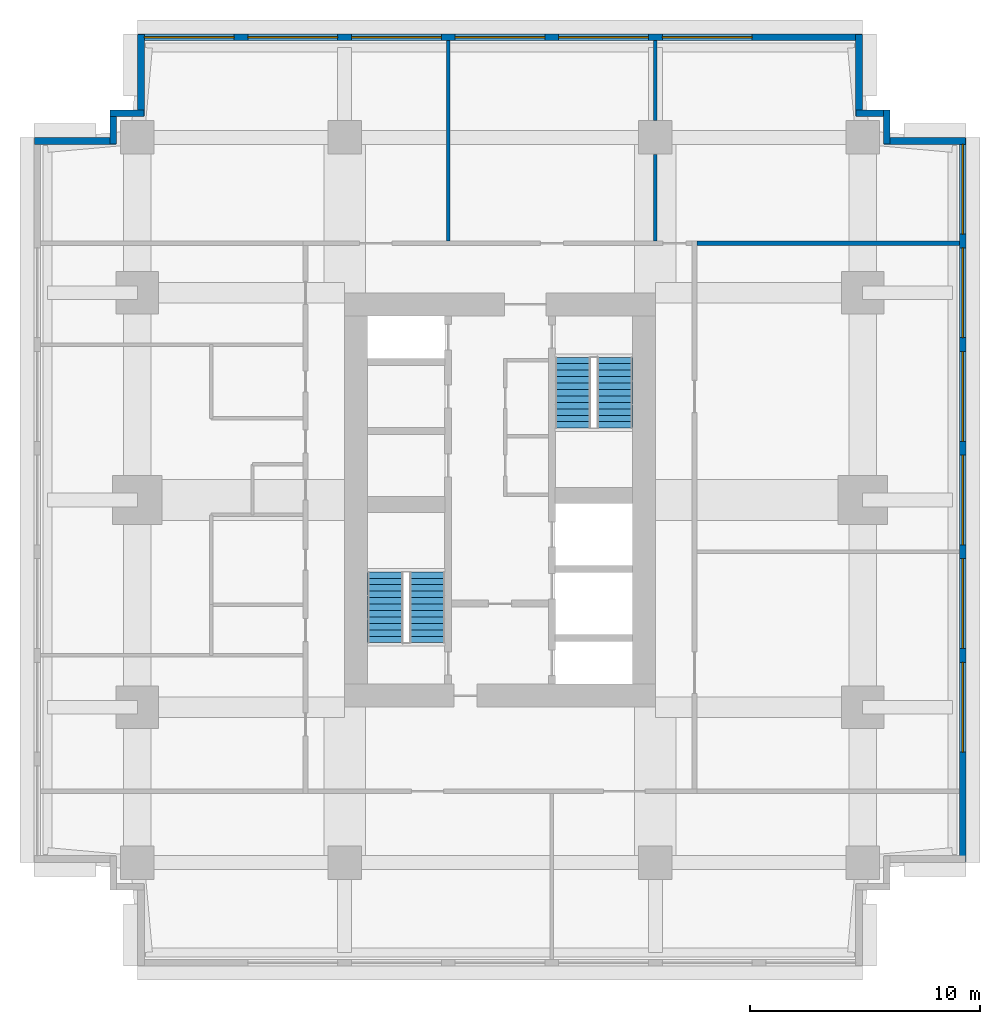
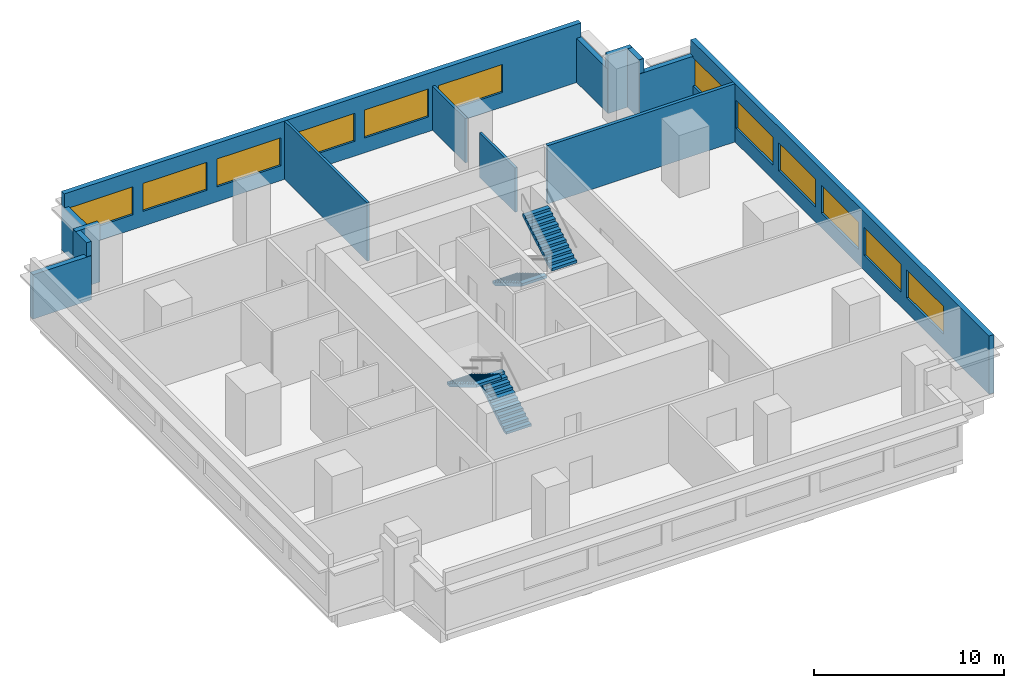
# One storey, part 4 of 5: 14 walls, 12 windows, 4 stair flights, 12 openings, 2 elements without a shape of their own.
"""IFC4 building model written with IfcOpenShell, lengths in metres."""

from ifc_helpers import new_model, si_unit, direction, frame, frame_2d, origin, place, context, subcontext, project, spatial, polyline, rectangle, outline, extrude, material, layer, layer_set, type_object, element, fill, aggregate, save


model = new_model("IFC4")

# Units and contexts
model_context = context("Model", 3, precision=1e-05, world=origin(), true_north=direction((0.0, 1.0)))
body_context = subcontext(model_context, "Body", "Model", "MODEL_VIEW")
ifc_project = project(units=[si_unit("LENGTHUNIT", "METRE"), si_unit("AREAUNIT", "SQUARE_METRE"), si_unit("VOLUMEUNIT", "CUBIC_METRE"), si_unit("PLANEANGLEUNIT", "RADIAN"), si_unit("MASSUNIT", "GRAM", prefix="KILO")], contexts=[model_context])

# Site, building, storey
site_placement = place(None, origin())
site = spatial("IfcSite", under=ifc_project, at=site_placement, CompositionType="ELEMENT")
building_placement = place(site_placement, origin())
building = spatial("IfcBuilding", under=site, at=building_placement, Name="Namib Vertical Campus", CompositionType="ELEMENT")
storey_placement = place(building_placement, frame((0.0, 0.0, 265.0)))
storey = spatial("IfcBuildingStorey", under=building, at=storey_placement, Name="L62", CompositionType="ELEMENT", Elevation=265.0)

# Wall
ifc_material_1 = material(Name="Concrete masonry", Category="masonry")
ifc_layer_1 = layer(ifc_material_1, 0.199951171875)
ifc_layer_set_1 = layer_set([ifc_layer_1], Name="Corridor wall 200")
wall_type_1 = type_object("IfcWallType", Name="Corridor wall 200", PredefinedType="SOLIDWALL", material=ifc_layer_set_1)
wall_1_placement = place(storey_placement, frame((28.800048828125, 31.39990234375, 0.0), z_axis=(0.0, 0.0, 1.0), x_axis=(1.0, 0.0, 0.0)))
element("IfcWall", 1, at=wall_1_placement, inside=storey, type_object=wall_type_1, Name="Partition A L62 BNE", PredefinedType="SOLIDWALL", context=body_context, shape_type="SweptSolid", body=[
    extrude(rectangle(XDim=11.39990234375, YDim=0.199951171875, at=frame_2d((5.699951171875, 0.0))), origin(), (0.0, 0.0, 1.0), 3.75),
])

# Wall, openings, windows
ifc_material_2 = material(Name="Concrete C40/50", Category="concrete")
ifc_layer_2 = layer(ifc_material_2, 0.300048828125)
ifc_layer_set_2 = layer_set([ifc_layer_2], Name="Concrete C40/50")
wall_type_2 = type_object("IfcWallType", Name="External wall 300 board-marked concrete", PredefinedType="STANDARD", material=ifc_layer_set_2)
wall_2_placement = place(storey_placement, frame((40.35009765625, 4.52001953125, 0.0), z_axis=(0.0, 0.0, 1.0), x_axis=(0.0, 1.0, 0.0)))
wall_2 = element("IfcWall", 2, at=wall_2_placement, inside=storey, type_object=wall_type_2, Name="External wall L62 F06", PredefinedType="STANDARD", context=body_context, shape_type="SweptSolid", body=[
    extrude(rectangle(XDim=31.4599609375, YDim=0.300048828125, at=frame_2d((15.72998046875, 0.0))), origin(), (0.0, 0.0, 1.0), 3.75),
])
opening_1_placement = place(wall_2_placement, frame((4.780029296875, 0.0, 0.949951171875)))
opening_1 = element("IfcOpeningElement", 3, at=opening_1_placement, cuts=wall_2, Name="Opening W3", PredefinedType="OPENING", context=body_context, shape_type="SweptSolid", body=[
    extrude(rectangle(XDim=3.89990234375, YDim=1.800048828125, at=frame_2d((1.949951171875, 0.89990234375))), frame((0.0, 0.159912109375, 0.0), z_axis=(0.0, -1.0, 0.0), x_axis=(1.0, 0.0, 0.0)), (0.0, 0.0, 1.0), 0.320068359375),
])
opening_2_placement = place(wall_2_placement, frame((9.280029296875, 0.0, 0.949951171875)))
opening_2 = element("IfcOpeningElement", 4, at=opening_2_placement, cuts=wall_2, Name="Opening W3", PredefinedType="OPENING", context=body_context, shape_type="SweptSolid", body=[
    extrude(rectangle(XDim=3.89990234375, YDim=1.800048828125, at=frame_2d((1.949951171875, 0.89990234375))), frame((0.0, 0.159912109375, 0.0), z_axis=(0.0, -1.0, 0.0), x_axis=(1.0, 0.0, 0.0)), (0.0, 0.0, 1.0), 0.320068359375),
])
opening_3_placement = place(wall_2_placement, frame((13.780029296875, 0.0, 0.949951171875)))
opening_3 = element("IfcOpeningElement", 5, at=opening_3_placement, cuts=wall_2, Name="Opening W3", PredefinedType="OPENING", context=body_context, shape_type="SweptSolid", body=[
    extrude(rectangle(XDim=3.89990234375, YDim=1.800048828125, at=frame_2d((1.949951171875, 0.89990234375))), frame((0.0, 0.159912109375, 0.0), z_axis=(0.0, -1.0, 0.0), x_axis=(1.0, 0.0, 0.0)), (0.0, 0.0, 1.0), 0.320068359375),
])
opening_4_placement = place(wall_2_placement, frame((18.280029296875, 0.0, 0.949951171875)))
opening_4 = element("IfcOpeningElement", 6, at=opening_4_placement, cuts=wall_2, Name="Opening W3", PredefinedType="OPENING", context=body_context, shape_type="SweptSolid", body=[
    extrude(rectangle(XDim=3.89990234375, YDim=1.800048828125, at=frame_2d((1.949951171875, 0.89990234375))), frame((0.0, 0.159912109375, 0.0), z_axis=(0.0, -1.0, 0.0), x_axis=(1.0, 0.0, 0.0)), (0.0, 0.0, 1.0), 0.320068359375),
])
opening_5_placement = place(wall_2_placement, frame((22.780029296875, 0.0, 0.949951171875)))
opening_5 = element("IfcOpeningElement", 7, at=opening_5_placement, cuts=wall_2, Name="Opening W3", PredefinedType="OPENING", context=body_context, shape_type="SweptSolid", body=[
    extrude(rectangle(XDim=3.89990234375, YDim=1.800048828125, at=frame_2d((1.949951171875, 0.89990234375))), frame((0.0, 0.159912109375, 0.0), z_axis=(0.0, -1.0, 0.0), x_axis=(1.0, 0.0, 0.0)), (0.0, 0.0, 1.0), 0.320068359375),
])
opening_6_placement = place(wall_2_placement, frame((27.280029296875, 0.0, 0.949951171875)))
opening_6 = element("IfcOpeningElement", 8, at=opening_6_placement, cuts=wall_2, Name="Opening W3", PredefinedType="OPENING", context=body_context, shape_type="SweptSolid", body=[
    extrude(rectangle(XDim=3.89990234375, YDim=1.800048828125, at=frame_2d((1.949951171875, 0.89990234375))), frame((0.0, 0.159912109375, 0.0), z_axis=(0.0, -1.0, 0.0), x_axis=(1.0, 0.0, 0.0)), (0.0, 0.0, 1.0), 0.320068359375),
])
ifc_material_3 = material(Name="Dark tinted glass in black aluminium frame", Category="aluminium")
window_type = type_object("IfcWindowType", Name="Ribbon window 3900x1800", PartitioningType="SINGLE_PANEL", PredefinedType="WINDOW", material=ifc_material_3)
window_1_placement = place(opening_1_placement, origin())
window_1 = element("IfcWindow", 9, at=window_1_placement, inside=storey, type_object=window_type, Name="Window W3 L62 F06-2", OverallHeight=1.800048828125, OverallWidth=3.89990234375, PartitioningType="SINGLE_PANEL", PredefinedType="WINDOW", context=body_context, shape_type="SweptSolid", body=[
    extrude(rectangle(XDim=3.89990234375, YDim=1.800048828125, at=frame_2d((1.949951171875, 0.89990234375))), frame((0.0, 0.030029296875, 0.0), z_axis=(0.0, -1.0, 0.0), x_axis=(1.0, 0.0, 0.0)), (0.0, 0.0, 1.0), 0.06005859375),
])
fill(opening_1, window_1)
window_2_placement = place(opening_2_placement, origin())
window_2 = element("IfcWindow", 10, at=window_2_placement, inside=storey, type_object=window_type, Name="Window W3 L62 F06-3", OverallHeight=1.800048828125, OverallWidth=3.89990234375, PartitioningType="SINGLE_PANEL", PredefinedType="WINDOW", context=body_context, shape_type="SweptSolid", body=[
    extrude(rectangle(XDim=3.89990234375, YDim=1.800048828125, at=frame_2d((1.949951171875, 0.89990234375))), frame((0.0, 0.030029296875, 0.0), z_axis=(0.0, -1.0, 0.0), x_axis=(1.0, 0.0, 0.0)), (0.0, 0.0, 1.0), 0.06005859375),
])
fill(opening_2, window_2)
window_3_placement = place(opening_3_placement, origin())
window_3 = element("IfcWindow", 11, at=window_3_placement, inside=storey, type_object=window_type, Name="Window W3 L62 F06-4", OverallHeight=1.800048828125, OverallWidth=3.89990234375, PartitioningType="SINGLE_PANEL", PredefinedType="WINDOW", context=body_context, shape_type="SweptSolid", body=[
    extrude(rectangle(XDim=3.89990234375, YDim=1.800048828125, at=frame_2d((1.949951171875, 0.89990234375))), frame((0.0, 0.030029296875, 0.0), z_axis=(0.0, -1.0, 0.0), x_axis=(1.0, 0.0, 0.0)), (0.0, 0.0, 1.0), 0.06005859375),
])
fill(opening_3, window_3)
window_4_placement = place(opening_4_placement, origin())
window_4 = element("IfcWindow", 12, at=window_4_placement, inside=storey, type_object=window_type, Name="Window W3 L62 F06-5", OverallHeight=1.800048828125, OverallWidth=3.89990234375, PartitioningType="SINGLE_PANEL", PredefinedType="WINDOW", context=body_context, shape_type="SweptSolid", body=[
    extrude(rectangle(XDim=3.89990234375, YDim=1.800048828125, at=frame_2d((1.949951171875, 0.89990234375))), frame((0.0, 0.030029296875, 0.0), z_axis=(0.0, -1.0, 0.0), x_axis=(1.0, 0.0, 0.0)), (0.0, 0.0, 1.0), 0.06005859375),
])
fill(opening_4, window_4)
window_5_placement = place(opening_5_placement, origin())
window_5 = element("IfcWindow", 13, at=window_5_placement, inside=storey, type_object=window_type, Name="Window W3 L62 F06-6", OverallHeight=1.800048828125, OverallWidth=3.89990234375, PartitioningType="SINGLE_PANEL", PredefinedType="WINDOW", context=body_context, shape_type="SweptSolid", body=[
    extrude(rectangle(XDim=3.89990234375, YDim=1.800048828125, at=frame_2d((1.949951171875, 0.89990234375))), frame((0.0, 0.030029296875, 0.0), z_axis=(0.0, -1.0, 0.0), x_axis=(1.0, 0.0, 0.0)), (0.0, 0.0, 1.0), 0.06005859375),
])
fill(opening_5, window_5)
window_6_placement = place(opening_6_placement, origin())
window_6 = element("IfcWindow", 14, at=window_6_placement, inside=storey, type_object=window_type, Name="Window W3 L62 F06-7", OverallHeight=1.800048828125, OverallWidth=3.89990234375, PartitioningType="SINGLE_PANEL", PredefinedType="WINDOW", context=body_context, shape_type="SweptSolid", body=[
    extrude(rectangle(XDim=3.89990234375, YDim=1.800048828125, at=frame_2d((1.949951171875, 0.89990234375))), frame((0.0, 0.030029296875, 0.0), z_axis=(0.0, -1.0, 0.0), x_axis=(1.0, 0.0, 0.0)), (0.0, 0.0, 1.0), 0.06005859375),
])
fill(opening_6, window_6)

# Walls
wall_3_placement = place(storey_placement, frame((40.47998046875, 35.85009765625, 0.0), z_axis=(0.0, 0.0, 1.0), x_axis=(-1.0, 0.0, 0.0)))
element("IfcWall", 15, at=wall_3_placement, inside=storey, type_object=wall_type_2, Name="External wall L62 F07", PredefinedType="STANDARD", context=body_context, shape_type="SweptSolid", body=[
    extrude(rectangle(XDim=3.56005859375, YDim=0.300048828125, at=frame_2d((1.780029296875, 0.0))), origin(), (0.0, 0.0, 1.0), 2.85009765625),
])
for number, where, z_axis, x_axis, name in (
    (16, (37.050048828125, 35.719970703125, 0.0), (0.0, 0.0, 1.0), (0.0, 1.0, 0.0), "External wall L62 F08"),
    (17, (37.179931640625, 37.050048828125, 0.0), (0.0, 0.0, 1.0), (-1.0, 0.0, 0.0), "External wall L62 F09"),
):
    element("IfcWall", number, at=place(storey_placement, frame(where, z_axis=z_axis, x_axis=x_axis)), inside=storey, type_object=wall_type_2, Name=name, PredefinedType="STANDARD", context=body_context, shape_type="SweptSolid", body=[
        extrude(rectangle(XDim=1.4599609375, YDim=0.300048828125, at=frame_2d((0.72998046875, 0.0))), origin(), (0.0, 0.0, 1.0), 3.75),
    ])
wall_4_placement = place(storey_placement, frame((35.85009765625, 36.919921875, 0.0), z_axis=(0.0, 0.0, 1.0), x_axis=(0.0, 1.0, 0.0)))
element("IfcWall", 18, at=wall_4_placement, inside=storey, type_object=wall_type_2, Name="External wall L62 F10", PredefinedType="STANDARD", context=body_context, shape_type="SweptSolid", body=[
    extrude(rectangle(XDim=3.56005859375, YDim=0.300048828125, at=frame_2d((1.780029296875, 0.0))), origin(), (0.0, 0.0, 1.0), 2.85009765625),
])

# Wall, openings, windows
wall_5_placement = place(storey_placement, frame((35.97998046875, 40.35009765625, 0.0), z_axis=(0.0, 0.0, 1.0), x_axis=(-1.0, 0.0, 0.0)))
wall_5 = element("IfcWall", 19, at=wall_5_placement, inside=storey, type_object=wall_type_2, Name="External wall L62 F11", PredefinedType="STANDARD", context=body_context, shape_type="SweptSolid", body=[
    extrude(rectangle(XDim=31.4599609375, YDim=0.300048828125, at=frame_2d((15.72998046875, 0.0))), origin(), (0.0, 0.0, 1.0), 3.75),
])
opening_7_placement = place(wall_5_placement, frame((27.280029296875, 0.0, 0.949951171875)))
opening_7 = element("IfcOpeningElement", 20, at=opening_7_placement, cuts=wall_5, Name="Opening W3", PredefinedType="OPENING", context=body_context, shape_type="SweptSolid", body=[
    extrude(rectangle(XDim=3.89990234375, YDim=1.800048828125, at=frame_2d((1.949951171875, 0.89990234375))), frame((0.0, 0.159912109375, 0.0), z_axis=(0.0, -1.0, 0.0), x_axis=(1.0, 0.0, 0.0)), (0.0, 0.0, 1.0), 0.320068359375),
])
opening_8_placement = place(wall_5_placement, frame((22.780029296875, 0.0, 0.949951171875)))
opening_8 = element("IfcOpeningElement", 21, at=opening_8_placement, cuts=wall_5, Name="Opening W3", PredefinedType="OPENING", context=body_context, shape_type="SweptSolid", body=[
    extrude(rectangle(XDim=3.89990234375, YDim=1.800048828125, at=frame_2d((1.949951171875, 0.89990234375))), frame((0.0, 0.159912109375, 0.0), z_axis=(0.0, -1.0, 0.0), x_axis=(1.0, 0.0, 0.0)), (0.0, 0.0, 1.0), 0.320068359375),
])
opening_9_placement = place(wall_5_placement, frame((18.280029296875, 0.0, 0.949951171875)))
opening_9 = element("IfcOpeningElement", 22, at=opening_9_placement, cuts=wall_5, Name="Opening W3", PredefinedType="OPENING", context=body_context, shape_type="SweptSolid", body=[
    extrude(rectangle(XDim=3.89990234375, YDim=1.800048828125, at=frame_2d((1.949951171875, 0.89990234375))), frame((0.0, 0.159912109375, 0.0), z_axis=(0.0, -1.0, 0.0), x_axis=(1.0, 0.0, 0.0)), (0.0, 0.0, 1.0), 0.320068359375),
])
opening_10_placement = place(wall_5_placement, frame((13.780029296875, 0.0, 0.949951171875)))
opening_10 = element("IfcOpeningElement", 23, at=opening_10_placement, cuts=wall_5, Name="Opening W3", PredefinedType="OPENING", context=body_context, shape_type="SweptSolid", body=[
    extrude(rectangle(XDim=3.89990234375, YDim=1.800048828125, at=frame_2d((1.949951171875, 0.89990234375))), frame((0.0, 0.159912109375, 0.0), z_axis=(0.0, -1.0, 0.0), x_axis=(1.0, 0.0, 0.0)), (0.0, 0.0, 1.0), 0.320068359375),
])
opening_11_placement = place(wall_5_placement, frame((9.280029296875, 0.0, 0.949951171875)))
opening_11 = element("IfcOpeningElement", 24, at=opening_11_placement, cuts=wall_5, Name="Opening W3", PredefinedType="OPENING", context=body_context, shape_type="SweptSolid", body=[
    extrude(rectangle(XDim=3.89990234375, YDim=1.800048828125, at=frame_2d((1.949951171875, 0.89990234375))), frame((0.0, 0.159912109375, 0.0), z_axis=(0.0, -1.0, 0.0), x_axis=(1.0, 0.0, 0.0)), (0.0, 0.0, 1.0), 0.320068359375),
])
opening_12_placement = place(wall_5_placement, frame((4.780029296875, 0.0, 0.949951171875)))
opening_12 = element("IfcOpeningElement", 25, at=opening_12_placement, cuts=wall_5, Name="Opening W3", PredefinedType="OPENING", context=body_context, shape_type="SweptSolid", body=[
    extrude(rectangle(XDim=3.89990234375, YDim=1.800048828125, at=frame_2d((1.949951171875, 0.89990234375))), frame((0.0, 0.159912109375, 0.0), z_axis=(0.0, -1.0, 0.0), x_axis=(1.0, 0.0, 0.0)), (0.0, 0.0, 1.0), 0.320068359375),
])
window_7_placement = place(opening_7_placement, origin())
window_7 = element("IfcWindow", 26, at=window_7_placement, inside=storey, type_object=window_type, Name="Window W3 L62 F11-1", OverallHeight=1.800048828125, OverallWidth=3.89990234375, PartitioningType="SINGLE_PANEL", PredefinedType="WINDOW", context=body_context, shape_type="SweptSolid", body=[
    extrude(rectangle(XDim=3.89990234375, YDim=1.800048828125, at=frame_2d((1.949951171875, 0.89990234375))), frame((0.0, 0.030029296875, 0.0), z_axis=(0.0, -1.0, 0.0), x_axis=(1.0, 0.0, 0.0)), (0.0, 0.0, 1.0), 0.06005859375),
])
fill(opening_7, window_7)
window_8_placement = place(opening_8_placement, origin())
window_8 = element("IfcWindow", 27, at=window_8_placement, inside=storey, type_object=window_type, Name="Window W3 L62 F11-2", OverallHeight=1.800048828125, OverallWidth=3.89990234375, PartitioningType="SINGLE_PANEL", PredefinedType="WINDOW", context=body_context, shape_type="SweptSolid", body=[
    extrude(rectangle(XDim=3.89990234375, YDim=1.800048828125, at=frame_2d((1.949951171875, 0.89990234375))), frame((0.0, 0.030029296875, 0.0), z_axis=(0.0, -1.0, 0.0), x_axis=(1.0, 0.0, 0.0)), (0.0, 0.0, 1.0), 0.06005859375),
])
fill(opening_8, window_8)
window_9_placement = place(opening_9_placement, origin())
window_9 = element("IfcWindow", 28, at=window_9_placement, inside=storey, type_object=window_type, Name="Window W3 L62 F11-3", OverallHeight=1.800048828125, OverallWidth=3.89990234375, PartitioningType="SINGLE_PANEL", PredefinedType="WINDOW", context=body_context, shape_type="SweptSolid", body=[
    extrude(rectangle(XDim=3.89990234375, YDim=1.800048828125, at=frame_2d((1.949951171875, 0.89990234375))), frame((0.0, 0.030029296875, 0.0), z_axis=(0.0, -1.0, 0.0), x_axis=(1.0, 0.0, 0.0)), (0.0, 0.0, 1.0), 0.06005859375),
])
fill(opening_9, window_9)
window_10_placement = place(opening_10_placement, origin())
window_10 = element("IfcWindow", 29, at=window_10_placement, inside=storey, type_object=window_type, Name="Window W3 L62 F11-4", OverallHeight=1.800048828125, OverallWidth=3.89990234375, PartitioningType="SINGLE_PANEL", PredefinedType="WINDOW", context=body_context, shape_type="SweptSolid", body=[
    extrude(rectangle(XDim=3.89990234375, YDim=1.800048828125, at=frame_2d((1.949951171875, 0.89990234375))), frame((0.0, 0.030029296875, 0.0), z_axis=(0.0, -1.0, 0.0), x_axis=(1.0, 0.0, 0.0)), (0.0, 0.0, 1.0), 0.06005859375),
])
fill(opening_10, window_10)
window_11_placement = place(opening_11_placement, origin())
window_11 = element("IfcWindow", 30, at=window_11_placement, inside=storey, type_object=window_type, Name="Window W3 L62 F11-5", OverallHeight=1.800048828125, OverallWidth=3.89990234375, PartitioningType="SINGLE_PANEL", PredefinedType="WINDOW", context=body_context, shape_type="SweptSolid", body=[
    extrude(rectangle(XDim=3.89990234375, YDim=1.800048828125, at=frame_2d((1.949951171875, 0.89990234375))), frame((0.0, 0.030029296875, 0.0), z_axis=(0.0, -1.0, 0.0), x_axis=(1.0, 0.0, 0.0)), (0.0, 0.0, 1.0), 0.06005859375),
])
fill(opening_11, window_11)
window_12_placement = place(opening_12_placement, origin())
window_12 = element("IfcWindow", 31, at=window_12_placement, inside=storey, type_object=window_type, Name="Window W3 L62 F11-6", OverallHeight=1.800048828125, OverallWidth=3.89990234375, PartitioningType="SINGLE_PANEL", PredefinedType="WINDOW", context=body_context, shape_type="SweptSolid", body=[
    extrude(rectangle(XDim=3.89990234375, YDim=1.800048828125, at=frame_2d((1.949951171875, 0.89990234375))), frame((0.0, 0.030029296875, 0.0), z_axis=(0.0, -1.0, 0.0), x_axis=(1.0, 0.0, 0.0)), (0.0, 0.0, 1.0), 0.06005859375),
])
fill(opening_12, window_12)

# Walls
wall_6_placement = place(storey_placement, frame((4.64990234375, 40.47998046875, 0.0), z_axis=(0.0, 0.0, 1.0), x_axis=(0.0, -1.0, 0.0)))
element("IfcWall", 32, at=wall_6_placement, inside=storey, type_object=wall_type_2, Name="External wall L62 F12", PredefinedType="STANDARD", context=body_context, shape_type="SweptSolid", body=[
    extrude(rectangle(XDim=3.56005859375, YDim=0.300048828125, at=frame_2d((1.780029296875, 0.0))), origin(), (0.0, 0.0, 1.0), 2.85009765625),
])
for number, where, z_axis, x_axis, name in (
    (33, (4.780029296875, 37.050048828125, 0.0), (0.0, 0.0, 1.0), (-1.0, 0.0, 0.0), "External wall L62 F13"),
    (34, (3.449951171875, 37.179931640625, 0.0), (0.0, 0.0, 1.0), (0.0, -1.0, 0.0), "External wall L62 F14"),
):
    element("IfcWall", number, at=place(storey_placement, frame(where, z_axis=z_axis, x_axis=x_axis)), inside=storey, type_object=wall_type_2, Name=name, PredefinedType="STANDARD", context=body_context, shape_type="SweptSolid", body=[
        extrude(rectangle(XDim=1.4599609375, YDim=0.300048828125, at=frame_2d((0.72998046875, 0.0))), origin(), (0.0, 0.0, 1.0), 3.75),
    ])
wall_7_placement = place(storey_placement, frame((3.580078125, 35.85009765625, 0.0), z_axis=(0.0, 0.0, 1.0), x_axis=(-1.0, 0.0, 0.0)))
element("IfcWall", 35, at=wall_7_placement, inside=storey, type_object=wall_type_2, Name="External wall L62 F15", PredefinedType="STANDARD", context=body_context, shape_type="SweptSolid", body=[
    extrude(rectangle(XDim=3.56005859375, YDim=0.300048828125, at=frame_2d((1.780029296875, 0.0))), origin(), (0.0, 0.0, 1.0), 2.85009765625),
])
ifc_material_4 = material(Name="Gypsum board on steel studs", Category="steel")
ifc_layer_3 = layer(ifc_material_4, 0.14990234375)
ifc_layer_set_3 = layer_set([ifc_layer_3], Name="Gypsum board on steel studs")
wall_type_3 = type_object("IfcWallType", Name="Partition 150", PredefinedType="PARTITIONING", material=ifc_layer_set_3)
wall_8_placement = place(storey_placement, frame((18.0, 31.5, 0.0), z_axis=(0.0, 0.0, 1.0), x_axis=(0.0, 1.0, 0.0)))
element("IfcWall", 36, at=wall_8_placement, inside=storey, type_object=wall_type_3, Name="Partition A L62 PN1", PredefinedType="PARTITIONING", context=body_context, shape_type="SweptSolid", body=[
    extrude(rectangle(XDim=8.699951171875, YDim=0.14990234375, at=frame_2d((4.35009765625, 0.0))), origin(), (0.0, 0.0, 1.0), 3.75),
])
wall_9_placement = place(storey_placement, frame((27.0, 31.5, 0.0), z_axis=(0.0, 0.0, 1.0), x_axis=(0.0, 1.0, 0.0)))
element("IfcWall", 37, at=wall_9_placement, inside=storey, type_object=wall_type_3, Name="Partition A L62 PN2", PredefinedType="PARTITIONING", context=body_context, shape_type="SweptSolid", body=[
    extrude(rectangle(XDim=3.7548828125, YDim=0.14990234375, at=frame_2d((1.87744140625, 0.0))), origin(), (0.0, 0.0, 1.0), 2.85009765625),
])
wall_10_placement = place(storey_placement, frame((27.0, 36.7451171875, 0.0), z_axis=(0.0, 0.0, 1.0), x_axis=(0.0, 1.0, 0.0)))
element("IfcWall", 38, at=wall_10_placement, inside=storey, type_object=wall_type_3, Name="Partition A L62 PN2", PredefinedType="PARTITIONING", context=body_context, shape_type="SweptSolid", body=[
    extrude(rectangle(XDim=3.454833984375, YDim=0.14990234375, at=frame_2d((1.7275390625, 0.0))), origin(), (0.0, 0.0, 1.0), 2.85009765625),
])

# Stair, stair flights
ifc_material_5 = material(Name="Concrete C40/50 precast", Category="concrete")
stair_type = type_object("IfcStairType", Name="Exit stair 4000 rise 24 risers 3350 wide", PredefinedType="HALF_TURN_STAIR", material=ifc_material_5)
stair_1_placement = place(storey_placement, origin())
stair_1 = element("IfcStair", 39, at=stair_1_placement, inside=storey, type_object=stair_type, Name="Exit stair A-S1 L62", PredefinedType="HALF_TURN_STAIR")
ifc_material_6 = material(Name="Concrete C40/50 precast", Category="concrete")
stair_flight_type = type_object("IfcStairFlightType", Name="Stair flight 12 risers 167 1525 wide", PredefinedType="STRAIGHT", material=ifc_material_6)
stair_flight_1_placement = place(storey_placement, frame((17.08740234375, 14.050048828125, 0.0), z_axis=(0.0, 0.0, 1.0), x_axis=(0.0, 1.0, 0.0)))
stair_flight_1 = element("IfcStairFlight", 40, at=stair_flight_1_placement, type_object=stair_flight_type, Name="A-S1 flight 1", NumberOfRisers=12, NumberOfTreads=11, PredefinedType="STRAIGHT", RiserHeight=0.166666667, TreadLength=0.28, context=body_context, shape_type="SweptSolid", body=[
    extrude(outline(polyline([(0.0, 0.0), (0.0, 0.166748046875), (0.280029296875, 0.166748046875), (0.280029296875, 0.333251953125), (0.56005859375, 0.333251953125), (0.56005859375, 0.5), (0.840087890625, 0.5), (0.840087890625, 0.666748046875), (1.1201171875, 0.666748046875), (1.1201171875, 0.833251953125), (1.39990234375, 0.833251953125), (1.39990234375, 1.0), (1.679931640625, 1.0), (1.679931640625, 1.166748046875), (1.9599609375, 1.166748046875), (1.9599609375, 1.333251953125), (2.239990234375, 1.333251953125), (2.239990234375, 1.5), (2.52001953125, 1.5), (2.52001953125, 1.666748046875), (2.800048828125, 1.666748046875), (2.800048828125, 1.833251953125), (3.080078125, 1.833251953125), (3.080078125, 2.0), (3.080078125, 1.658935546875), (0.29296875, 0.0), (0.0, 0.0)])), frame((0.0, 0.762451171875, 0.0), z_axis=(0.0, -1.0, 0.0), x_axis=(1.0, 0.0, 0.0)), (0.0, 0.0, 1.0), 1.52490234375),
])
stair_flight_2_placement = place(storey_placement, frame((15.262451171875, 17.1298828125, 2.0), z_axis=(0.0, 0.0, 1.0), x_axis=(0.0, -1.0, 0.0)))
stair_flight_2 = element("IfcStairFlight", 41, at=stair_flight_2_placement, type_object=stair_flight_type, Name="A-S1 flight 2", NumberOfRisers=12, NumberOfTreads=11, PredefinedType="STRAIGHT", RiserHeight=0.166666667, TreadLength=0.28, context=body_context, shape_type="SweptSolid", body=[
    extrude(outline(polyline([(0.0, 0.0), (0.0, 0.166748046875), (0.280029296875, 0.166748046875), (0.280029296875, 0.333251953125), (0.56005859375, 0.333251953125), (0.56005859375, 0.5), (0.840087890625, 0.5), (0.840087890625, 0.666748046875), (1.1201171875, 0.666748046875), (1.1201171875, 0.833251953125), (1.39990234375, 0.833251953125), (1.39990234375, 1.0), (1.679931640625, 1.0), (1.679931640625, 1.166748046875), (1.9599609375, 1.166748046875), (1.9599609375, 1.333251953125), (2.239990234375, 1.333251953125), (2.239990234375, 1.5), (2.52001953125, 1.5), (2.52001953125, 1.666748046875), (2.800048828125, 1.666748046875), (2.800048828125, 1.833251953125), (3.080078125, 1.833251953125), (3.080078125, 2.0), (3.080078125, 1.658935546875), (0.29296875, 0.0), (0.0, 0.0)])), frame((0.0, 0.762451171875, 0.0), z_axis=(0.0, -1.0, 0.0), x_axis=(1.0, 0.0, 0.0)), (0.0, 0.0, 1.0), 1.52490234375),
])
aggregate(stair_1, [stair_flight_1, stair_flight_2])

stair_2_placement = place(storey_placement, origin())
stair_2 = element("IfcStair", 42, at=stair_2_placement, inside=storey, type_object=stair_type, Name="Exit stair A-S2 L62", PredefinedType="HALF_TURN_STAIR")
stair_flight_3_placement = place(storey_placement, frame((23.41259765625, 26.449951171875, 0.0), z_axis=(0.0, 0.0, 1.0), x_axis=(0.0, -1.0, 0.0)))
stair_flight_3 = element("IfcStairFlight", 43, at=stair_flight_3_placement, type_object=stair_flight_type, Name="A-S2 flight 1", NumberOfRisers=12, NumberOfTreads=11, PredefinedType="STRAIGHT", RiserHeight=0.166666667, TreadLength=0.28, context=body_context, shape_type="SweptSolid", body=[
    extrude(outline(polyline([(0.0, 0.0), (0.0, 0.166748046875), (0.280029296875, 0.166748046875), (0.280029296875, 0.333251953125), (0.56005859375, 0.333251953125), (0.56005859375, 0.5), (0.840087890625, 0.5), (0.840087890625, 0.666748046875), (1.1201171875, 0.666748046875), (1.1201171875, 0.833251953125), (1.39990234375, 0.833251953125), (1.39990234375, 1.0), (1.679931640625, 1.0), (1.679931640625, 1.166748046875), (1.9599609375, 1.166748046875), (1.9599609375, 1.333251953125), (2.239990234375, 1.333251953125), (2.239990234375, 1.5), (2.52001953125, 1.5), (2.52001953125, 1.666748046875), (2.800048828125, 1.666748046875), (2.800048828125, 1.833251953125), (3.080078125, 1.833251953125), (3.080078125, 2.0), (3.080078125, 1.658935546875), (0.29296875, 0.0), (0.0, 0.0)])), frame((0.0, 0.762451171875, 0.0), z_axis=(0.0, -1.0, 0.0), x_axis=(1.0, 0.0, 0.0)), (0.0, 0.0, 1.0), 1.52490234375),
])
stair_flight_4_placement = place(storey_placement, frame((25.237548828125, 23.3701171875, 2.0), z_axis=(0.0, 0.0, 1.0), x_axis=(0.0, 1.0, 0.0)))
stair_flight_4 = element("IfcStairFlight", 44, at=stair_flight_4_placement, type_object=stair_flight_type, Name="A-S2 flight 2", NumberOfRisers=12, NumberOfTreads=11, PredefinedType="STRAIGHT", RiserHeight=0.166666667, TreadLength=0.28, context=body_context, shape_type="SweptSolid", body=[
    extrude(outline(polyline([(0.0, 0.0), (0.0, 0.166748046875), (0.280029296875, 0.166748046875), (0.280029296875, 0.333251953125), (0.56005859375, 0.333251953125), (0.56005859375, 0.5), (0.840087890625, 0.5), (0.840087890625, 0.666748046875), (1.1201171875, 0.666748046875), (1.1201171875, 0.833251953125), (1.39990234375, 0.833251953125), (1.39990234375, 1.0), (1.679931640625, 1.0), (1.679931640625, 1.166748046875), (1.9599609375, 1.166748046875), (1.9599609375, 1.333251953125), (2.239990234375, 1.333251953125), (2.239990234375, 1.5), (2.52001953125, 1.5), (2.52001953125, 1.666748046875), (2.800048828125, 1.666748046875), (2.800048828125, 1.833251953125), (3.080078125, 1.833251953125), (3.080078125, 2.0), (3.080078125, 1.658935546875), (0.29296875, 0.0), (0.0, 0.0)])), frame((0.0, 0.762451171875, 0.0), z_axis=(0.0, -1.0, 0.0), x_axis=(1.0, 0.0, 0.0)), (0.0, 0.0, 1.0), 1.52490234375),
])
aggregate(stair_2, [stair_flight_3, stair_flight_4])

save(model, "model.ifc")
